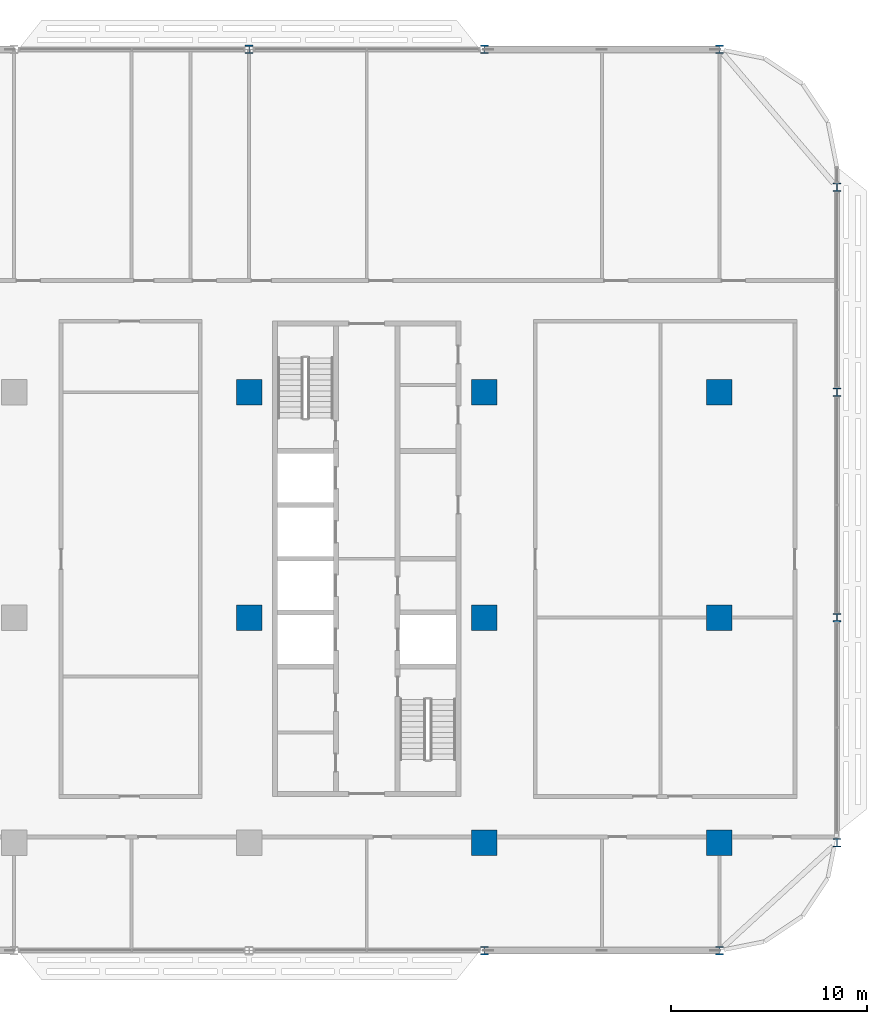
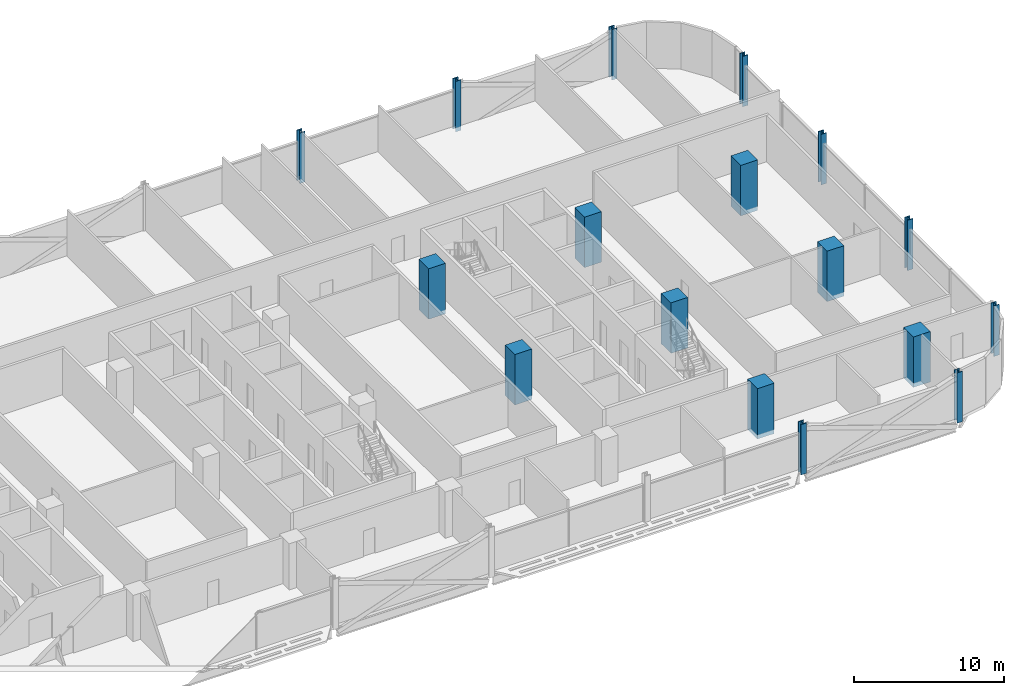
# One storey, part 2 of 28: 17 columns.
"""IFC4 building model written with IfcOpenShell, lengths in metres."""

from ifc_helpers import new_model, si_unit, direction, frame, origin, origin_2d, place, context, subcontext, project, spatial, rectangle, i_section, extrude, material, material_profile, profile_set, type_object, element, save


model = new_model("IFC4")

# Units and contexts
model_context = context("Model", 3, precision=1e-05, world=origin(), true_north=direction((0.0, 1.0)))
body_context = subcontext(model_context, "Body", "Model", "MODEL_VIEW")
ifc_project = project(units=[si_unit("LENGTHUNIT", "METRE"), si_unit("AREAUNIT", "SQUARE_METRE"), si_unit("VOLUMEUNIT", "CUBIC_METRE"), si_unit("PLANEANGLEUNIT", "RADIAN"), si_unit("MASSUNIT", "GRAM", prefix="KILO")], contexts=[model_context])

# Site, building, storey
site_placement = place(None, origin())
site = spatial("IfcSite", under=ifc_project, at=site_placement, CompositionType="ELEMENT")
building_placement = place(site_placement, origin())
building = spatial("IfcBuilding", under=site, at=building_placement, Name="Mahtab Terrace Research Tower", CompositionType="ELEMENT")
storey_placement = place(building_placement, frame((0.0, 0.0, 134.300048828125)))
storey = spatial("IfcBuildingStorey", under=building, at=storey_placement, Name="L31", CompositionType="ELEMENT", Elevation=134.300048828125)

# Columns
ifc_material_1 = material(Name="Concrete C70/85", Category="concrete")
ifc_material_profile_1 = material_profile(ifc_material_1, rectangle(XDim=1.300048828125, YDim=1.300048828125, at=origin_2d()), Name="RC column 1300x1300")
ifc_profile_set_1 = profile_set([ifc_material_profile_1], Name="Concrete C70/85")
column_type_1 = type_object("IfcColumnType", Name="RC column 1300x1300", PredefinedType="COLUMN", material=ifc_profile_set_1)
for number, where, z_axis, x_axis, name in (
    (1, (18.0, 0.0, -0.340087890625), (0.0, 0.0, 1.0), (1.0, 0.0, 0.0), "Column RC-6B L31"),
    (2, (18.0, 11.5, -0.340087890625), (0.0, 0.0, 1.0), (1.0, 0.0, 0.0), "Column RC-6C L31"),
    (3, (30.0, -11.5, -0.340087890625), (0.0, 0.0, 1.0), (1.0, 0.0, 0.0), "Column RC-7A L31"),
    (4, (30.0, 0.0, -0.340087890625), (0.0, 0.0, 1.0), (1.0, 0.0, 0.0), "Column RC-7B L31"),
    (5, (30.0, 11.5, -0.340087890625), (0.0, 0.0, 1.0), (1.0, 0.0, 0.0), "Column RC-7C L31"),
    (6, (42.0, -11.5, -0.340087890625), (0.0, 0.0, 1.0), (1.0, 0.0, 0.0), "Column RC-8A L31"),
    (7, (42.0, 0.0, -0.340087890625), (0.0, 0.0, 1.0), (1.0, 0.0, 0.0), "Column RC-8B L31"),
    (8, (42.0, 11.5, -0.340087890625), (0.0, 0.0, 1.0), (1.0, 0.0, 0.0), "Column RC-8C L31"),
):
    element("IfcColumn", number, at=place(storey_placement, frame(where, z_axis=z_axis, x_axis=x_axis)), inside=storey, type_object=column_type_1, Name=name, PredefinedType="COLUMN", context=body_context, shape_type="SweptSolid", body=[
        extrude(rectangle(XDim=1.300048828125, YDim=1.300048828125, at=origin_2d()), origin(), (0.0, 0.0, 1.0), 4.10009765625),
    ])
ifc_material_2 = material(Name="Steel ASTM A992 Gr 50", Category="steel")
ifc_material_profile_2 = material_profile(ifc_material_2, i_section(OverallWidth=0.41162109375, OverallDepth=0.434326171875, WebThickness=0.035888671875, FlangeThickness=0.057373046875, at=origin_2d()), Name="W14X311")
ifc_profile_set_2 = profile_set([ifc_material_profile_2], Name="Steel ASTM A992 Gr 50")
column_type_2 = type_object("IfcColumnType", Name="W14x311 column CS14311", PredefinedType="COLUMN", material=ifc_profile_set_2)
for number, where, z_axis, x_axis, name in (
    (9, (42.0, 29.0, -0.340087890625), (0.0, 0.0, 1.0), (1.0, 0.0, 0.0), "Column SC-031 L31"),
    (10, (30.0, 29.0, -0.340087890625), (0.0, 0.0, 1.0), (1.0, 0.0, 0.0), "Column SC-032 L31"),
    (11, (18.0, 29.0, -0.340087890625), (0.0, 0.0, 1.0), (1.0, 0.0, 0.0), "Column SC-033 L31"),
    (12, (30.0, -17.0, -0.340087890625), (0.0, 0.0, 1.0), (1.0, 0.0, 0.0), "Column SC-044 L31"),
    (13, (42.0, -17.0, -0.340087890625), (0.0, 0.0, 1.0), (1.0, 0.0, 0.0), "Column SC-045 L31"),
    (14, (48.0, -11.5, -0.340087890625), (0.0, 0.0, 1.0), (1.0, 0.0, 0.0), "Column SC-020 L31"),
    (15, (48.0, 0.0, -0.340087890625), (0.0, 0.0, 1.0), (1.0, 0.0, 0.0), "Column SC-021 L31"),
    (16, (48.0, 11.5, -0.340087890625), (0.0, 0.0, 1.0), (1.0, 0.0, 0.0), "Column SC-022 L31"),
    (17, (48.0, 21.9619140625, -0.340087890625), (0.0, 0.0, 1.0), (1.0, 0.0, 0.0), "Column SC-050 L31"),
):
    element("IfcColumn", number, at=place(storey_placement, frame(where, z_axis=z_axis, x_axis=x_axis)), inside=storey, type_object=column_type_2, Name=name, PredefinedType="COLUMN", context=body_context, shape_type="SweptSolid", body=[
        extrude(i_section(OverallWidth=0.41162109375, OverallDepth=0.434326171875, WebThickness=0.035888671875, FlangeThickness=0.057373046875, at=origin_2d()), origin(), (0.0, 0.0, 1.0), 4.10009765625),
    ])

save(model, "model.ifc")
